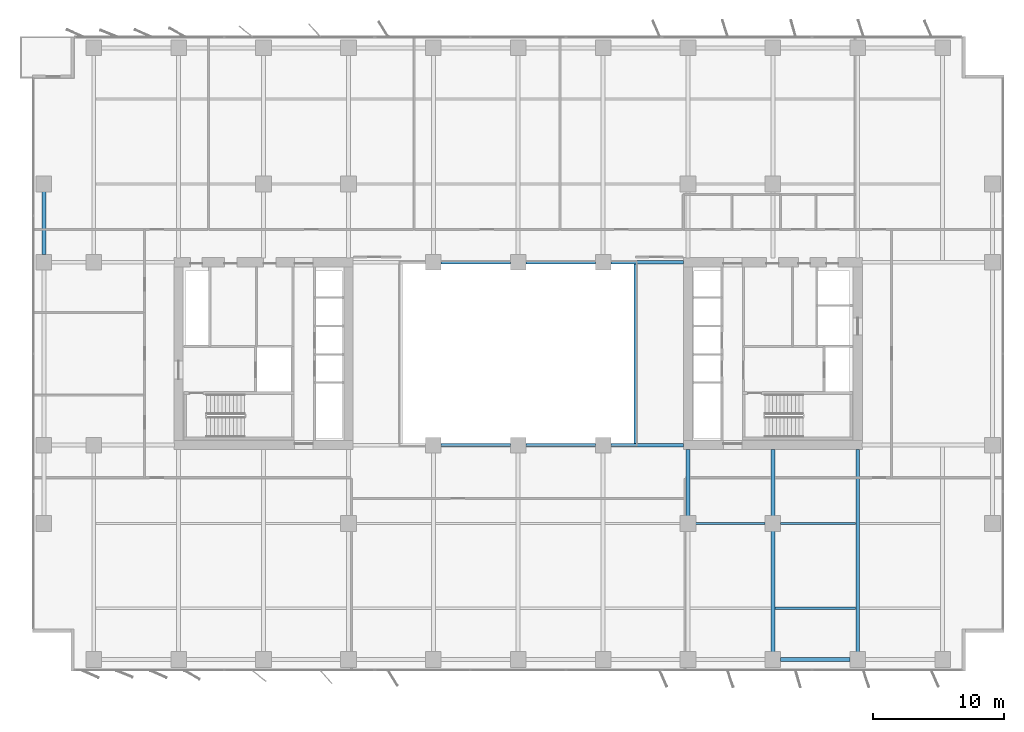
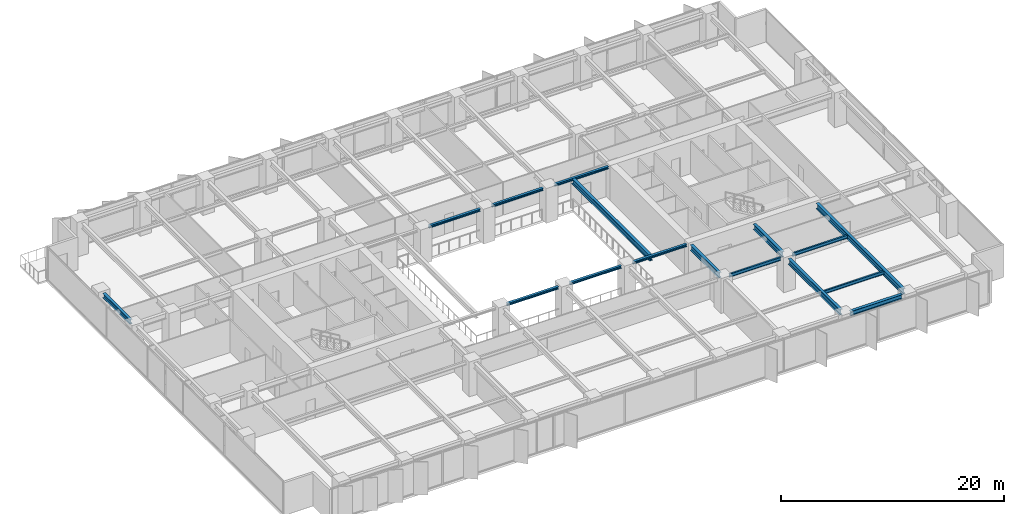
# One storey, part 6 of 20: 16 beams.
"""IFC4 building model written with IfcOpenShell, lengths in metres."""

import ifcopenshell
import ifcopenshell.guid

model = None  # the IFC model being written
_history = None  # IfcOwnerHistory: only IFC2X3 demands one
_inside = {}  # id of a spatial element -> (the spatial element, [elements in it])
_under = {}  # id of a project, library or spatial element -> (it, [spatial elements below it])
_declared = {}  # id of a project -> (the project, [libraries it declares])
_typed = {}  # id of a type object -> (the type object, [elements of that type])
_made_of = {}  # id of a material, layer set ... -> (it, [elements and type objects made of it])


def new_model(schema):
    """Start an empty IFC model of exactly this schema.

    Asked for "IFC4X3", IfcOpenShell would pick the latest addendum, in which some entities
    have other attributes; the version numbers below select the first issue.
    IFC2X3 requires an IfcOwnerHistory on every rooted entity: one is made here for all.
    """
    global model, _history
    if schema == "IFC4X3":
        model = ifcopenshell.file(schema_version=(4, 3, 0, 0))
    else:
        model = ifcopenshell.file(schema=schema)
    _inside.clear()
    _under.clear()
    _declared.clear()
    _typed.clear()
    _made_of.clear()
    _history = None
    if model.schema == "IFC2X3":
        org = make("IfcOrganization", Name="unknown")
        user = make(
            "IfcPersonAndOrganization",
            ThePerson=make("IfcPerson", FamilyName="unknown"),
            TheOrganization=org,
        )
        app = make(
            "IfcApplication",
            ApplicationDeveloper=org,
            Version="unknown",
            ApplicationFullName="unknown",
            ApplicationIdentifier="unknown",
        )
        _history = make(
            "IfcOwnerHistory",
            OwningUser=user,
            OwningApplication=app,
            ChangeAction="ADDED",
            CreationDate=0,
        )
    return model


def make(cls, **values):
    """One entity of the class cls with the attributes given. An attribute that is None is left unset."""
    return model.create_entity(
        cls, **{name: value for name, value in values.items() if value is not None}
    )


def rooted(cls, **values):
    """An entity with a GlobalId (a new one), such as an element, a storey or a relation."""
    return make(cls, GlobalId=ifcopenshell.guid.new(), OwnerHistory=_history, **values)


def si_unit(unit_type, name, prefix=None):
    """IfcSIUnit, for example si_unit("LENGTHUNIT", "METRE", prefix="MILLI")."""
    return make("IfcSIUnit", UnitType=unit_type, Prefix=prefix, Name=name)


def assignment(units):
    """IfcUnitAssignment: the units of a project."""
    return None if units is None else make("IfcUnitAssignment", Units=units)


def point(xyz):
    """IfcCartesianPoint."""
    return None if xyz is None else make("IfcCartesianPoint", Coordinates=xyz)


def direction(xyz):
    """IfcDirection."""
    return None if xyz is None else make("IfcDirection", DirectionRatios=xyz)


def frame(location, z_axis=None, x_axis=None):
    """IfcAxis2Placement3D, a coordinate frame: its origin and axes. An axis left out is left unset."""
    return make(
        "IfcAxis2Placement3D",
        Location=point(location),
        Axis=direction(z_axis),
        RefDirection=direction(x_axis),
    )


def frame_2d(location, x_axis=None):
    """IfcAxis2Placement2D, a coordinate frame in the plane: its origin and x axis."""
    return make(
        "IfcAxis2Placement2D", Location=point(location), RefDirection=direction(x_axis)
    )


def origin():
    """The frame at (0, 0, 0) with its axes left unset."""
    return frame((0.0, 0.0, 0.0))


def origin_2d():
    """The frame at (0, 0) in the plane with its x axis left unset."""
    return frame_2d((0.0, 0.0))


def place(relative_to, where):
    """IfcLocalPlacement: puts the frame where relative to a parent placement (None: the world)."""
    return make(
        "IfcLocalPlacement", PlacementRelTo=relative_to, RelativePlacement=where
    )


def context(
    kind, dimensions, precision=None, world=None, true_north=None, identifier=None
):
    """IfcGeometricRepresentationContext, for example the 3D "Model" context."""
    return make(
        "IfcGeometricRepresentationContext",
        ContextIdentifier=identifier,
        ContextType=kind,
        CoordinateSpaceDimension=dimensions,
        Precision=precision,
        WorldCoordinateSystem=world,
        TrueNorth=true_north,
    )


def subcontext(parent, identifier, kind, view, scale=None):
    """IfcGeometricRepresentationSubContext, for example "Body" below "Model"."""
    return make(
        "IfcGeometricRepresentationSubContext",
        ContextIdentifier=identifier,
        ContextType=kind,
        ParentContext=parent,
        TargetScale=scale,
        TargetView=view,
    )


def project(units=None, contexts=None):
    """IfcProject with its units and contexts."""
    return rooted(
        "IfcProject",
        Name="project",
        RepresentationContexts=contexts,
        UnitsInContext=assignment(units),
    )


def spatial(cls, under=None, at=None, **own):
    """A site, building, storey or space (cls), placed at a placement, below another one or the project."""
    s = rooted(cls, ObjectPlacement=at, **own)
    if under is not None:
        _under.setdefault(under.id(), (under, []))[1].append(s)
    return s


def profile(cls, at=None, kind="AREA", **sizes):
    """A parametric profile (cls). Its sizes go by their IFC names, for example OverallWidth=200.0."""
    return make(cls, ProfileType=kind, Position=at, **sizes)


def i_section(**sizes):
    """IfcIShapeProfileDef."""
    return profile("IfcIShapeProfileDef", **sizes)


def extrude(swept, where, along, depth):
    """IfcExtrudedAreaSolid: the profile swept, set in the frame where, extruded along a direction by depth."""
    return make(
        "IfcExtrudedAreaSolid",
        SweptArea=swept,
        Position=where,
        ExtrudedDirection=direction(along),
        Depth=depth,
    )


def shape(context_of_items, identifier, shape_type, items):
    """IfcShapeRepresentation: the items that make up one representation, for example the "Body"."""
    return make(
        "IfcShapeRepresentation",
        ContextOfItems=context_of_items,
        RepresentationIdentifier=identifier,
        RepresentationType=shape_type,
        Items=items,
    )


def material(Name=None, Category=None):
    """IfcMaterial."""
    return make("IfcMaterial", Name=Name, Category=Category)


def material_profile(
    of_material, cross_section, Name=None, Category=None, Priority=None
):
    """IfcMaterialProfile: a cross section and its material."""
    return make(
        "IfcMaterialProfile",
        Name=Name,
        Material=of_material,
        Profile=cross_section,
        Priority=Priority,
        Category=Category,
    )


def profile_set(profiles, Name=None, composite=None):
    """IfcMaterialProfileSet."""
    return make(
        "IfcMaterialProfileSet",
        Name=Name,
        MaterialProfiles=profiles,
        CompositeProfile=composite,
    )


def made_of(thing, what):
    """Note that an element or type object is made of a material, layer set ...; save() writes the relation."""
    if what is not None:
        _made_of.setdefault(what.id(), (what, []))[1].append(thing)
    return thing


def type_object(cls, material=None, **own):
    """A type object (cls), such as IfcWallType, which elements share."""
    return made_of(rooted(cls, **own), material)


def element(
    cls,
    number,
    at=None,
    inside=None,
    cuts=None,
    type_object=None,
    material=None,
    context=None,
    identifier="Body",
    shape_type=None,
    held_by="IfcProductDefinitionShape",
    body=None,
    shapes=None,
    **own,
):
    """One element of the class cls, such as IfcWall. Its Tag is "e" and its number.

    at: its placement. inside: the storey or other place that contains it. cuts: it is an
    opening in that element (IfcRelVoidsElement). A single representation is given by context,
    identifier, shape_type and body (its items); several are given by shapes. held_by: the class
    of the entity that holds the representations. save() writes the other relations.
    """
    e = rooted(cls, Tag="e%d" % number, ObjectPlacement=at, **own)
    if body is not None:
        shapes = [shape(context, identifier, shape_type, body)]
    if shapes is not None:
        e.Representation = make(held_by, Representations=shapes)
    if inside is not None:
        _inside.setdefault(inside.id(), (inside, []))[1].append(e)
    if cuts is not None:
        rooted(
            "IfcRelVoidsElement", RelatingBuildingElement=cuts, RelatedOpeningElement=e
        )
    if type_object is not None:
        _typed.setdefault(type_object.id(), (type_object, []))[1].append(e)
    return made_of(e, material)


def aggregate(whole, parts):
    """IfcRelAggregates: a whole, such as a stair, and the parts it consists of."""
    return rooted("IfcRelAggregates", RelatingObject=whole, RelatedObjects=parts)


def save(model, path):
    """Write the relations noted so far, then the file.

    IfcRelAggregates (storeys below a building ...), IfcRelContainedInSpatialStructure (elements
    in a storey), IfcRelDefinesByType, IfcRelAssociatesMaterial and IfcRelDeclares: one each for
    every whole, place, type object, material and project.
    """
    for whole, parts in _under.values():
        aggregate(whole, parts)
    for where, things in _inside.values():
        rooted(
            "IfcRelContainedInSpatialStructure",
            RelatedElements=things,
            RelatingStructure=where,
        )
    for kind, things in _typed.values():
        rooted("IfcRelDefinesByType", RelatedObjects=things, RelatingType=kind)
    for what, things in _made_of.values():
        rooted("IfcRelAssociatesMaterial", RelatedObjects=things, RelatingMaterial=what)
    for by, libraries in _declared.values():
        rooted("IfcRelDeclares", RelatingContext=by, RelatedDefinitions=libraries)
    model.write(path)


model = new_model("IFC4")

# Units and contexts
model_context = context("Model", 3, precision=1e-05, world=origin(), true_north=direction((0.0, 1.0)))
body_context = subcontext(model_context, "Body", "Model", "MODEL_VIEW")
ifc_project = project(units=[si_unit("LENGTHUNIT", "METRE"), si_unit("AREAUNIT", "SQUARE_METRE"), si_unit("VOLUMEUNIT", "CUBIC_METRE"), si_unit("PLANEANGLEUNIT", "RADIAN"), si_unit("MASSUNIT", "GRAM", prefix="KILO")], contexts=[model_context])

# Site, building, storey
site_placement = place(None, origin())
site = spatial("IfcSite", under=ifc_project, at=site_placement, CompositionType="ELEMENT")
building_placement = place(site_placement, origin())
building = spatial("IfcBuilding", under=site, at=building_placement, Name="Putna Gate Headquarters", CompositionType="ELEMENT")
storey_placement = place(building_placement, frame((0.0, 0.0, 89.800048828125)))
storey = spatial("IfcBuildingStorey", under=building, at=storey_placement, Name="L21", CompositionType="ELEMENT", Elevation=89.800048828125)

# Beams
ifc_material = material(Name="Steel S355J2", Category="steel")
ifc_material_profile_1 = material_profile(ifc_material, i_section(OverallWidth=0.260009765625, OverallDepth=0.260009765625, WebThickness=0.010009765625, FlangeThickness=0.017578125, at=origin_2d()), Name="Steel S355J2")
ifc_profile_set_1 = profile_set([ifc_material_profile_1], Name="Steel S355J2")
beam_type_1 = type_object("IfcBeamType", Name="BM-ATRIUM-HEB260", PredefinedType="BEAM", material=ifc_profile_set_1)
for number, where, z_axis, x_axis, name in (
    (1, (33.087890625, 19.0, 3.43505859375), (1.0, 0.0, 0.0), (0.0, 1.0, 0.0), "L21 Atrium Edge Beam AS2"),
    (2, (39.587890625, 19.0, 3.43505859375), (1.0, 0.0, 0.0), (0.0, 1.0, 0.0), "L21 Atrium Edge Beam AS3"),
):
    element("IfcBeam", number, at=place(storey_placement, frame(where, z_axis=z_axis, x_axis=x_axis)), inside=storey, type_object=beam_type_1, Name=name, PredefinedType="BEAM", context=body_context, shape_type="SweptSolid", body=[
        extrude(i_section(OverallWidth=0.260009765625, OverallDepth=0.260009765625, WebThickness=0.010009765625, FlangeThickness=0.017578125, at=origin_2d()), origin(), (0.0, 0.0, 1.0), 5.32421875),
    ])
beam_1_placement = place(storey_placement, frame((46.087890625, 19.0, 3.43505859375), z_axis=(1.0, 0.0, 0.0), x_axis=(0.0, 1.0, 0.0)))
element("IfcBeam", 3, at=beam_1_placement, inside=storey, type_object=beam_type_1, Name="L21 Atrium Edge Beam AS4", PredefinedType="BEAM", context=body_context, shape_type="SweptSolid", body=[
    extrude(i_section(OverallWidth=0.260009765625, OverallDepth=0.260009765625, WebThickness=0.010009765625, FlangeThickness=0.017578125, at=origin_2d()), origin(), (0.0, 0.0, 1.0), 5.5771484375),
])
for number, where, z_axis, x_axis, name in (
    (4, (33.087890625, 33.0, 3.43505859375), (1.0, 0.0, 0.0), (0.0, 1.0, 0.0), "L21 Atrium Edge Beam AN2"),
    (5, (39.587890625, 33.0, 3.43505859375), (1.0, 0.0, 0.0), (0.0, 1.0, 0.0), "L21 Atrium Edge Beam AN3"),
):
    element("IfcBeam", number, at=place(storey_placement, frame(where, z_axis=z_axis, x_axis=x_axis)), inside=storey, type_object=beam_type_1, Name=name, PredefinedType="BEAM", context=body_context, shape_type="SweptSolid", body=[
        extrude(i_section(OverallWidth=0.260009765625, OverallDepth=0.260009765625, WebThickness=0.010009765625, FlangeThickness=0.017578125, at=origin_2d()), origin(), (0.0, 0.0, 1.0), 5.32421875),
    ])
beam_2_placement = place(storey_placement, frame((46.087890625, 33.0, 3.43505859375), z_axis=(1.0, 0.0, 0.0), x_axis=(0.0, 1.0, 0.0)))
element("IfcBeam", 6, at=beam_2_placement, inside=storey, type_object=beam_type_1, Name="L21 Atrium Edge Beam AN4", PredefinedType="BEAM", context=body_context, shape_type="SweptSolid", body=[
    extrude(i_section(OverallWidth=0.260009765625, OverallDepth=0.260009765625, WebThickness=0.010009765625, FlangeThickness=0.017578125, at=origin_2d()), origin(), (0.0, 0.0, 1.0), 5.5771484375),
])
ifc_material_profile_2 = material_profile(ifc_material, i_section(OverallWidth=0.300048828125, OverallDepth=0.60009765625, WebThickness=0.015380859375, FlangeThickness=0.030029296875, at=origin_2d()), Name="Steel S355J2")
ifc_profile_set_2 = profile_set([ifc_material_profile_2], Name="Steel S355J2")
beam_type_2 = type_object("IfcBeamType", Name="BM-GIRD-Z2-HEB600", PredefinedType="USERDEFINED", material=ifc_profile_set_2)
beam_3_placement = place(storey_placement, frame((52.0, 13.587890625, 3.264892578125), z_axis=(0.0, 1.0, 0.0), x_axis=(-1.0, 0.0, 0.0)))
element("IfcBeam", 7, at=beam_3_placement, inside=storey, type_object=beam_type_2, Name="L21 South Primary Girder X52-2", ObjectType="GIRDER", PredefinedType="USERDEFINED", context=body_context, shape_type="SweptSolid", body=[
    extrude(i_section(OverallWidth=0.300048828125, OverallDepth=0.60009765625, WebThickness=0.015380859375, FlangeThickness=0.030029296875, at=origin_2d()), origin(), (0.0, 0.0, 1.0), 5.0771484375),
])
beam_4_placement = place(storey_placement, frame((58.5, 3.16796875, 3.264892578125), z_axis=(0.0, 1.0, 0.0), x_axis=(-1.0, 0.0, 0.0)))
element("IfcBeam", 8, at=beam_4_placement, inside=storey, type_object=beam_type_2, Name="L21 South Primary Girder X58-1", ObjectType="GIRDER", PredefinedType="USERDEFINED", context=body_context, shape_type="SweptSolid", body=[
    extrude(i_section(OverallWidth=0.300048828125, OverallDepth=0.60009765625, WebThickness=0.015380859375, FlangeThickness=0.030029296875, at=origin_2d()), origin(), (0.0, 0.0, 1.0), 9.244140625),
])
beam_5_placement = place(storey_placement, frame((58.5, 13.587890625, 3.264892578125), z_axis=(0.0, 1.0, 0.0), x_axis=(-1.0, 0.0, 0.0)))
element("IfcBeam", 9, at=beam_5_placement, inside=storey, type_object=beam_type_2, Name="L21 South Primary Girder X58-2", ObjectType="GIRDER", PredefinedType="USERDEFINED", context=body_context, shape_type="SweptSolid", body=[
    extrude(i_section(OverallWidth=0.300048828125, OverallDepth=0.60009765625, WebThickness=0.015380859375, FlangeThickness=0.030029296875, at=origin_2d()), origin(), (0.0, 0.0, 1.0), 5.0771484375),
])
beam_6_placement = place(storey_placement, frame((65.0, 3.16796875, 3.264892578125), z_axis=(0.0, 1.0, 0.0), x_axis=(-1.0, 0.0, 0.0)))
element("IfcBeam", 10, at=beam_6_placement, inside=storey, type_object=beam_type_2, Name="L21 South Primary Girder X65", ObjectType="GIRDER", PredefinedType="USERDEFINED", context=body_context, shape_type="SweptSolid", body=[
    extrude(i_section(OverallWidth=0.300048828125, OverallDepth=0.60009765625, WebThickness=0.015380859375, FlangeThickness=0.030029296875, at=origin_2d()), origin(), (0.0, 0.0, 1.0), 15.4970703125),
])
beam_7_placement = place(storey_placement, frame((48.0, 19.010009765625, 3.264892578125), z_axis=(0.0, 1.0, 0.0), x_axis=(-1.0, 0.0, 0.0)))
element("IfcBeam", 11, at=beam_7_placement, inside=storey, type_object=beam_type_2, Name="L21 Atrium Trim Girder AE", ObjectType="GIRDER", PredefinedType="USERDEFINED", context=body_context, shape_type="SweptSolid", body=[
    extrude(i_section(OverallWidth=0.300048828125, OverallDepth=0.60009765625, WebThickness=0.015380859375, FlangeThickness=0.030029296875, at=origin_2d()), origin(), (0.0, 0.0, 1.0), 13.97998046875),
])
ifc_material_profile_3 = material_profile(ifc_material, i_section(OverallWidth=0.169921875, OverallDepth=0.360107421875, WebThickness=0.008056640625, FlangeThickness=0.0126953125, at=origin_2d()), Name="Steel S355J2")
ifc_profile_set_3 = profile_set([ifc_material_profile_3], Name="Steel S355J2")
beam_type_3 = type_object("IfcBeamType", Name="BM-SEC-Z2-IPE360", PredefinedType="BEAM", material=ifc_profile_set_3)
beam_8_placement = place(storey_placement, frame((52.587890625, 13.0, 3.385009765625), z_axis=(1.0, 0.0, 0.0), x_axis=(0.0, 1.0, 0.0)))
element("IfcBeam", 12, at=beam_8_placement, inside=storey, type_object=beam_type_3, Name="L21 South Secondary Beam 8", PredefinedType="BEAM", context=body_context, shape_type="SweptSolid", body=[
    extrude(i_section(OverallWidth=0.169921875, OverallDepth=0.360107421875, WebThickness=0.008056640625, FlangeThickness=0.0126953125, at=origin_2d()), origin(), (0.0, 0.0, 1.0), 5.32421875),
])
beam_9_placement = place(storey_placement, frame((58.654052734375, 6.5, 3.385009765625), z_axis=(1.0, 0.0, 0.0), x_axis=(0.0, 1.0, 0.0)))
element("IfcBeam", 13, at=beam_9_placement, inside=storey, type_object=beam_type_3, Name="L21 South Secondary Beam 9", PredefinedType="BEAM", context=body_context, shape_type="SweptSolid", body=[
    extrude(i_section(OverallWidth=0.169921875, OverallDepth=0.360107421875, WebThickness=0.008056640625, FlangeThickness=0.0126953125, at=origin_2d()), origin(), (0.0, 0.0, 1.0), 6.19189453125),
])
beam_10_placement = place(storey_placement, frame((59.087890625, 13.0, 3.385009765625), z_axis=(1.0, 0.0, 0.0), x_axis=(0.0, 1.0, 0.0)))
element("IfcBeam", 14, at=beam_10_placement, inside=storey, type_object=beam_type_3, Name="L21 South Secondary Beam 9", PredefinedType="BEAM", context=body_context, shape_type="SweptSolid", body=[
    extrude(i_section(OverallWidth=0.169921875, OverallDepth=0.360107421875, WebThickness=0.008056640625, FlangeThickness=0.0126953125, at=origin_2d()), origin(), (0.0, 0.0, 1.0), 5.758056640625),
])
ifc_material_profile_4 = material_profile(ifc_material, i_section(OverallWidth=0.300048828125, OverallDepth=0.489990234375, WebThickness=0.011962890625, FlangeThickness=0.02294921875, at=origin_2d()), Name="Steel S355J2")
ifc_profile_set_4 = profile_set([ifc_material_profile_4], Name="Steel S355J2")
beam_type_4 = type_object("IfcBeamType", Name="BM-SPAN-Z2-HEA500", PredefinedType="SPANDREL", material=ifc_profile_set_4)
beam_11_placement = place(storey_placement, frame((59.087890625, 2.580078125, 3.320068359375), z_axis=(1.0, 0.0, 0.0), x_axis=(0.0, 1.0, 0.0)))
element("IfcBeam", 15, at=beam_11_placement, inside=storey, type_object=beam_type_4, Name="L21 S Perimeter Spandrel 9", PredefinedType="SPANDREL", context=body_context, shape_type="SweptSolid", body=[
    extrude(i_section(OverallWidth=0.300048828125, OverallDepth=0.489990234375, WebThickness=0.011962890625, FlangeThickness=0.02294921875, at=origin_2d()), origin(), (0.0, 0.0, 1.0), 5.32421875),
])
beam_12_placement = place(storey_placement, frame((2.679931640625, 33.587890625, 3.320068359375), z_axis=(0.0, 1.0, 0.0), x_axis=(-1.0, 0.0, 0.0)))
element("IfcBeam", 16, at=beam_12_placement, inside=storey, type_object=beam_type_4, Name="L21 W End Spandrel 3", PredefinedType="SPANDREL", context=body_context, shape_type="SweptSolid", body=[
    extrude(i_section(OverallWidth=0.300048828125, OverallDepth=0.489990234375, WebThickness=0.011962890625, FlangeThickness=0.02294921875, at=origin_2d()), origin(), (0.0, 0.0, 1.0), 4.82421875),
])

save(model, "model.ifc")
